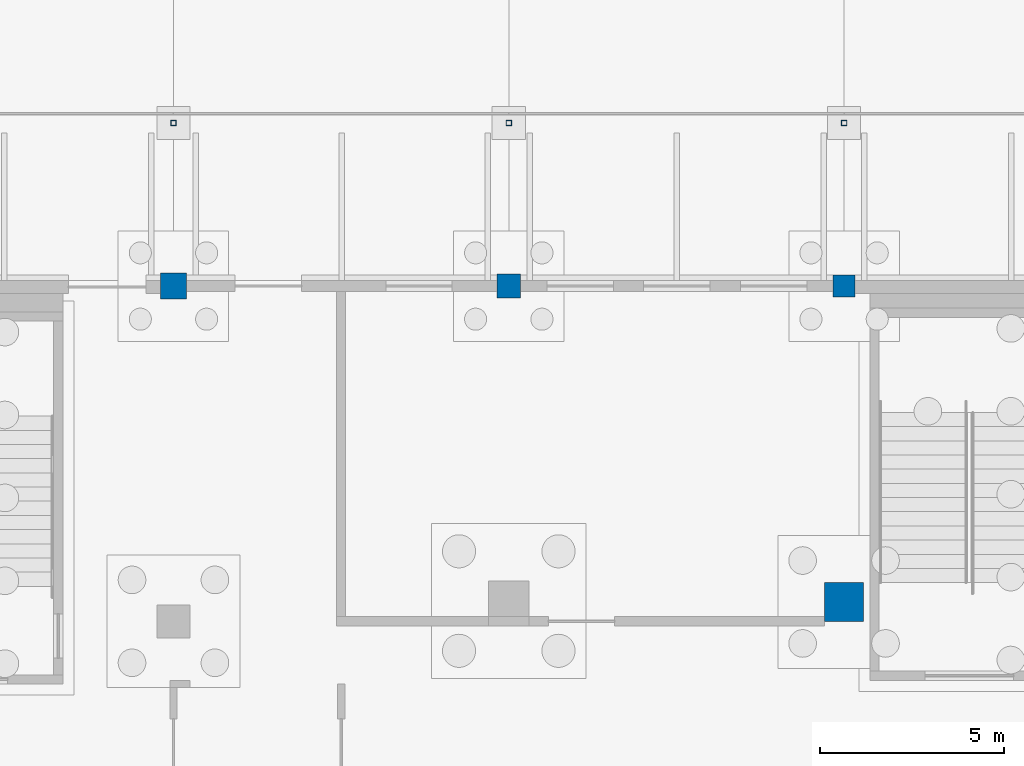
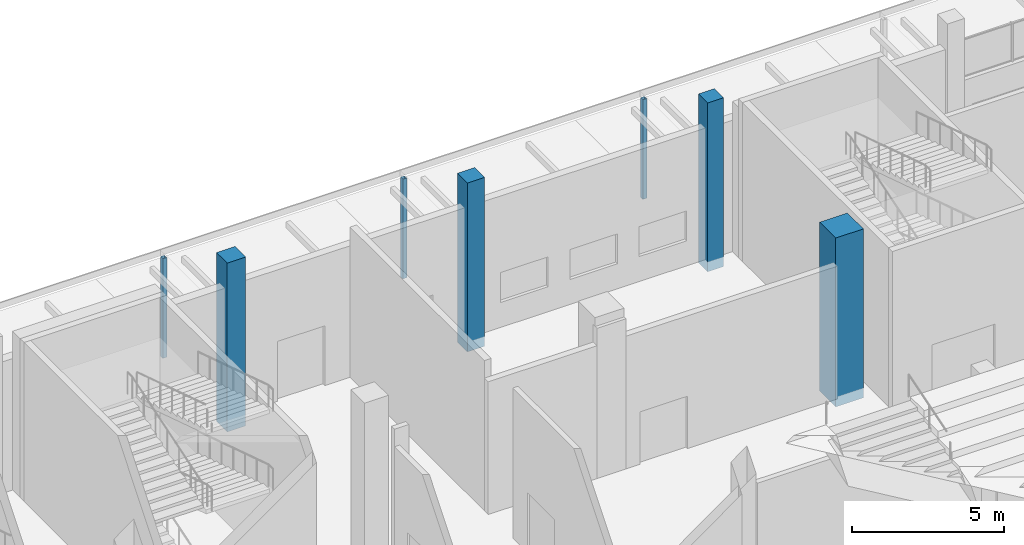
# One storey, part 30 of 129: 7 columns.
"""IFC4 building model written with IfcOpenShell, lengths in metres."""

import ifcopenshell
import ifcopenshell.guid

model = None  # the IFC model being written
_history = None  # IfcOwnerHistory: only IFC2X3 demands one
_inside = {}  # id of a spatial element -> (the spatial element, [elements in it])
_under = {}  # id of a project, library or spatial element -> (it, [spatial elements below it])
_declared = {}  # id of a project -> (the project, [libraries it declares])
_typed = {}  # id of a type object -> (the type object, [elements of that type])
_made_of = {}  # id of a material, layer set ... -> (it, [elements and type objects made of it])


def new_model(schema):
    """Start an empty IFC model of exactly this schema.

    Asked for "IFC4X3", IfcOpenShell would pick the latest addendum, in which some entities
    have other attributes; the version numbers below select the first issue.
    IFC2X3 requires an IfcOwnerHistory on every rooted entity: one is made here for all.
    """
    global model, _history
    if schema == "IFC4X3":
        model = ifcopenshell.file(schema_version=(4, 3, 0, 0))
    else:
        model = ifcopenshell.file(schema=schema)
    _inside.clear()
    _under.clear()
    _declared.clear()
    _typed.clear()
    _made_of.clear()
    _history = None
    if model.schema == "IFC2X3":
        org = make("IfcOrganization", Name="unknown")
        user = make(
            "IfcPersonAndOrganization",
            ThePerson=make("IfcPerson", FamilyName="unknown"),
            TheOrganization=org,
        )
        app = make(
            "IfcApplication",
            ApplicationDeveloper=org,
            Version="unknown",
            ApplicationFullName="unknown",
            ApplicationIdentifier="unknown",
        )
        _history = make(
            "IfcOwnerHistory",
            OwningUser=user,
            OwningApplication=app,
            ChangeAction="ADDED",
            CreationDate=0,
        )
    return model


def make(cls, **values):
    """One entity of the class cls with the attributes given. An attribute that is None is left unset."""
    return model.create_entity(
        cls, **{name: value for name, value in values.items() if value is not None}
    )


def rooted(cls, **values):
    """An entity with a GlobalId (a new one), such as an element, a storey or a relation."""
    return make(cls, GlobalId=ifcopenshell.guid.new(), OwnerHistory=_history, **values)


def si_unit(unit_type, name, prefix=None):
    """IfcSIUnit, for example si_unit("LENGTHUNIT", "METRE", prefix="MILLI")."""
    return make("IfcSIUnit", UnitType=unit_type, Prefix=prefix, Name=name)


def assignment(units):
    """IfcUnitAssignment: the units of a project."""
    return None if units is None else make("IfcUnitAssignment", Units=units)


def point(xyz):
    """IfcCartesianPoint."""
    return None if xyz is None else make("IfcCartesianPoint", Coordinates=xyz)


def direction(xyz):
    """IfcDirection."""
    return None if xyz is None else make("IfcDirection", DirectionRatios=xyz)


def frame(location, z_axis=None, x_axis=None):
    """IfcAxis2Placement3D, a coordinate frame: its origin and axes. An axis left out is left unset."""
    return make(
        "IfcAxis2Placement3D",
        Location=point(location),
        Axis=direction(z_axis),
        RefDirection=direction(x_axis),
    )


def frame_2d(location, x_axis=None):
    """IfcAxis2Placement2D, a coordinate frame in the plane: its origin and x axis."""
    return make(
        "IfcAxis2Placement2D", Location=point(location), RefDirection=direction(x_axis)
    )


def origin():
    """The frame at (0, 0, 0) with its axes left unset."""
    return frame((0.0, 0.0, 0.0))


def origin_2d():
    """The frame at (0, 0) in the plane with its x axis left unset."""
    return frame_2d((0.0, 0.0))


def place(relative_to, where):
    """IfcLocalPlacement: puts the frame where relative to a parent placement (None: the world)."""
    return make(
        "IfcLocalPlacement", PlacementRelTo=relative_to, RelativePlacement=where
    )


def context(
    kind, dimensions, precision=None, world=None, true_north=None, identifier=None
):
    """IfcGeometricRepresentationContext, for example the 3D "Model" context."""
    return make(
        "IfcGeometricRepresentationContext",
        ContextIdentifier=identifier,
        ContextType=kind,
        CoordinateSpaceDimension=dimensions,
        Precision=precision,
        WorldCoordinateSystem=world,
        TrueNorth=true_north,
    )


def subcontext(parent, identifier, kind, view, scale=None):
    """IfcGeometricRepresentationSubContext, for example "Body" below "Model"."""
    return make(
        "IfcGeometricRepresentationSubContext",
        ContextIdentifier=identifier,
        ContextType=kind,
        ParentContext=parent,
        TargetScale=scale,
        TargetView=view,
    )


def project(units=None, contexts=None):
    """IfcProject with its units and contexts."""
    return rooted(
        "IfcProject",
        Name="project",
        RepresentationContexts=contexts,
        UnitsInContext=assignment(units),
    )


def spatial(cls, under=None, at=None, **own):
    """A site, building, storey or space (cls), placed at a placement, below another one or the project."""
    s = rooted(cls, ObjectPlacement=at, **own)
    if under is not None:
        _under.setdefault(under.id(), (under, []))[1].append(s)
    return s


def profile(cls, at=None, kind="AREA", **sizes):
    """A parametric profile (cls). Its sizes go by their IFC names, for example OverallWidth=200.0."""
    return make(cls, ProfileType=kind, Position=at, **sizes)


def rectangle(**sizes):
    """IfcRectangleProfileDef."""
    return profile("IfcRectangleProfileDef", **sizes)


def hollow_rectangle(**sizes):
    """IfcRectangleHollowProfileDef."""
    return profile("IfcRectangleHollowProfileDef", **sizes)


def extrude(swept, where, along, depth):
    """IfcExtrudedAreaSolid: the profile swept, set in the frame where, extruded along a direction by depth."""
    return make(
        "IfcExtrudedAreaSolid",
        SweptArea=swept,
        Position=where,
        ExtrudedDirection=direction(along),
        Depth=depth,
    )


def shape(context_of_items, identifier, shape_type, items):
    """IfcShapeRepresentation: the items that make up one representation, for example the "Body"."""
    return make(
        "IfcShapeRepresentation",
        ContextOfItems=context_of_items,
        RepresentationIdentifier=identifier,
        RepresentationType=shape_type,
        Items=items,
    )


def material(Name=None, Category=None):
    """IfcMaterial."""
    return make("IfcMaterial", Name=Name, Category=Category)


def material_profile(
    of_material, cross_section, Name=None, Category=None, Priority=None
):
    """IfcMaterialProfile: a cross section and its material."""
    return make(
        "IfcMaterialProfile",
        Name=Name,
        Material=of_material,
        Profile=cross_section,
        Priority=Priority,
        Category=Category,
    )


def profile_set(profiles, Name=None, composite=None):
    """IfcMaterialProfileSet."""
    return make(
        "IfcMaterialProfileSet",
        Name=Name,
        MaterialProfiles=profiles,
        CompositeProfile=composite,
    )


def made_of(thing, what):
    """Note that an element or type object is made of a material, layer set ...; save() writes the relation."""
    if what is not None:
        _made_of.setdefault(what.id(), (what, []))[1].append(thing)
    return thing


def type_object(cls, material=None, **own):
    """A type object (cls), such as IfcWallType, which elements share."""
    return made_of(rooted(cls, **own), material)


def element(
    cls,
    number,
    at=None,
    inside=None,
    cuts=None,
    type_object=None,
    material=None,
    context=None,
    identifier="Body",
    shape_type=None,
    held_by="IfcProductDefinitionShape",
    body=None,
    shapes=None,
    **own,
):
    """One element of the class cls, such as IfcWall. Its Tag is "e" and its number.

    at: its placement. inside: the storey or other place that contains it. cuts: it is an
    opening in that element (IfcRelVoidsElement). A single representation is given by context,
    identifier, shape_type and body (its items); several are given by shapes. held_by: the class
    of the entity that holds the representations. save() writes the other relations.
    """
    e = rooted(cls, Tag="e%d" % number, ObjectPlacement=at, **own)
    if body is not None:
        shapes = [shape(context, identifier, shape_type, body)]
    if shapes is not None:
        e.Representation = make(held_by, Representations=shapes)
    if inside is not None:
        _inside.setdefault(inside.id(), (inside, []))[1].append(e)
    if cuts is not None:
        rooted(
            "IfcRelVoidsElement", RelatingBuildingElement=cuts, RelatedOpeningElement=e
        )
    if type_object is not None:
        _typed.setdefault(type_object.id(), (type_object, []))[1].append(e)
    return made_of(e, material)


def aggregate(whole, parts):
    """IfcRelAggregates: a whole, such as a stair, and the parts it consists of."""
    return rooted("IfcRelAggregates", RelatingObject=whole, RelatedObjects=parts)


def save(model, path):
    """Write the relations noted so far, then the file.

    IfcRelAggregates (storeys below a building ...), IfcRelContainedInSpatialStructure (elements
    in a storey), IfcRelDefinesByType, IfcRelAssociatesMaterial and IfcRelDeclares: one each for
    every whole, place, type object, material and project.
    """
    for whole, parts in _under.values():
        aggregate(whole, parts)
    for where, things in _inside.values():
        rooted(
            "IfcRelContainedInSpatialStructure",
            RelatedElements=things,
            RelatingStructure=where,
        )
    for kind, things in _typed.values():
        rooted("IfcRelDefinesByType", RelatedObjects=things, RelatingType=kind)
    for what, things in _made_of.values():
        rooted("IfcRelAssociatesMaterial", RelatedObjects=things, RelatingMaterial=what)
    for by, libraries in _declared.values():
        rooted("IfcRelDeclares", RelatingContext=by, RelatedDefinitions=libraries)
    model.write(path)


model = new_model("IFC4")

# Units and contexts
model_context = context("Model", 3, precision=1e-05, world=origin(), true_north=direction((0.0, 1.0)))
body_context = subcontext(model_context, "Body", "Model", "MODEL_VIEW")
ifc_project = project(units=[si_unit("LENGTHUNIT", "METRE"), si_unit("AREAUNIT", "SQUARE_METRE"), si_unit("VOLUMEUNIT", "CUBIC_METRE"), si_unit("PLANEANGLEUNIT", "RADIAN"), si_unit("MASSUNIT", "GRAM", prefix="KILO")], contexts=[model_context])

# Site, building, storey
site_placement = place(None, origin())
site = spatial("IfcSite", under=ifc_project, at=site_placement, CompositionType="ELEMENT")
building_placement = place(site_placement, origin())
building = spatial("IfcBuilding", under=site, at=building_placement, Name="Shirokan Park Arena", CompositionType="ELEMENT")
storey_placement = place(building_placement, origin())
storey = spatial("IfcBuildingStorey", under=building, at=storey_placement, Name="L00", CompositionType="ELEMENT", Elevation=0.0)

# Columns
ifc_material_1 = material(Name="Concrete C35", Category="concrete")
ifc_material_profile_1 = material_profile(ifc_material_1, rectangle(XDim=1.050048828125, YDim=1.050048828125, at=origin_2d()), Name="1050x1050")
ifc_profile_set_1 = profile_set([ifc_material_profile_1], Name="Concrete C35")
column_type_1 = type_object("IfcColumnType", Name="RC column 1050x1050", PredefinedType="COLUMN", material=ifc_profile_set_1)
column_1_placement = place(storey_placement, frame((54.60009765625, 100.625, -0.39990234375), z_axis=(0.0, 0.0, 1.0), x_axis=(1.0, 0.0, 0.0)))
element("IfcColumn", 1, at=column_1_placement, inside=storey, type_object=column_type_1, Name="Column 7M L00", PredefinedType="COLUMN", context=body_context, shape_type="SweptSolid", body=[
    extrude(rectangle(XDim=1.050048828125, YDim=1.050048828125, at=origin_2d()), origin(), (0.0, 0.0, 1.0), 6.77001953125),
])
ifc_material_profile_2 = material_profile(ifc_material_1, rectangle(XDim=0.60009765625, YDim=0.60009765625, at=origin_2d()), Name="600x600")
ifc_profile_set_2 = profile_set([ifc_material_profile_2], Name="Concrete C35")
column_type_2 = type_object("IfcColumnType", Name="RC column 600x600", PredefinedType="COLUMN", material=ifc_profile_set_2)
column_2_placement = place(storey_placement, frame((54.60009765625, 109.199951171875, -0.39990234375), z_axis=(0.0, 0.0, 1.0), x_axis=(1.0, 0.0, 0.0)))
element("IfcColumn", 2, at=column_2_placement, inside=storey, type_object=column_type_2, Name="Column 7N L00", PredefinedType="COLUMN", context=body_context, shape_type="SweptSolid", body=[
    extrude(rectangle(XDim=0.60009765625, YDim=0.60009765625, at=origin_2d()), origin(), (0.0, 0.0, 1.0), 6.77001953125),
])
ifc_material_profile_3 = material_profile(ifc_material_1, rectangle(XDim=0.64990234375, YDim=0.64990234375, at=origin_2d()), Name="650x650")
ifc_profile_set_3 = profile_set([ifc_material_profile_3], Name="Concrete C35")
column_type_3 = type_object("IfcColumnType", Name="RC column 650x650", PredefinedType="COLUMN", material=ifc_profile_set_3)
column_3_placement = place(storey_placement, frame((45.5, 109.199951171875, -0.39990234375), z_axis=(0.0, 0.0, 1.0), x_axis=(1.0, 0.0, 0.0)))
element("IfcColumn", 3, at=column_3_placement, inside=storey, type_object=column_type_3, Name="Column 6N L00", PredefinedType="COLUMN", context=body_context, shape_type="SweptSolid", body=[
    extrude(rectangle(XDim=0.64990234375, YDim=0.64990234375, at=origin_2d()), origin(), (0.0, 0.0, 1.0), 6.77001953125),
])
ifc_material_profile_4 = material_profile(ifc_material_1, rectangle(XDim=0.699951171875, YDim=0.699951171875, at=origin_2d()), Name="700x700")
ifc_profile_set_4 = profile_set([ifc_material_profile_4], Name="Concrete C35")
column_type_4 = type_object("IfcColumnType", Name="RC column 700x700", PredefinedType="COLUMN", material=ifc_profile_set_4)
column_4_placement = place(storey_placement, frame((36.39990234375, 109.199951171875, -0.39990234375), z_axis=(0.0, 0.0, 1.0), x_axis=(1.0, 0.0, 0.0)))
element("IfcColumn", 4, at=column_4_placement, inside=storey, type_object=column_type_4, Name="Column 5N L00", PredefinedType="COLUMN", context=body_context, shape_type="SweptSolid", body=[
    extrude(rectangle(XDim=0.699951171875, YDim=0.699951171875, at=origin_2d()), origin(), (0.0, 0.0, 1.0), 6.77001953125),
])
ifc_material_2 = material(Name="Steel S355", Category="steel")
ifc_material_profile_5 = material_profile(ifc_material_2, hollow_rectangle(XDim=0.14990234375, YDim=0.14990234375, WallThickness=0.008056640625, at=origin_2d()), Name="RHS 150x150x8")
ifc_profile_set_5 = profile_set([ifc_material_profile_5], Name="Steel S355")
column_type_5 = type_object("IfcColumnType", Name="Steel post RHS 150x150x8", PredefinedType="COLUMN", material=ifc_profile_set_5)
for number, where, z_axis, x_axis, name in (
    (5, (54.60009765625, 113.625, -0.39990234375), (0.0, 0.0, 1.0), (1.0, 0.0, 0.0), "Canopy post north grid 11"),
    (6, (45.5, 113.625, -0.39990234375), (0.0, 0.0, 1.0), (1.0, 0.0, 0.0), "Canopy post north grid 12"),
    (7, (36.39990234375, 113.625, -0.39990234375), (0.0, 0.0, 1.0), (1.0, 0.0, 0.0), "Canopy post north grid 13"),
):
    element("IfcColumn", number, at=place(storey_placement, frame(where, z_axis=z_axis, x_axis=x_axis)), inside=storey, type_object=column_type_5, Name=name, PredefinedType="COLUMN", context=body_context, shape_type="SweptSolid", body=[
        extrude(hollow_rectangle(XDim=0.14990234375, YDim=0.14990234375, WallThickness=0.008056640625, at=origin_2d()), origin(), (0.0, 0.0, 1.0), 4.0),
    ])

save(model, "model.ifc")
